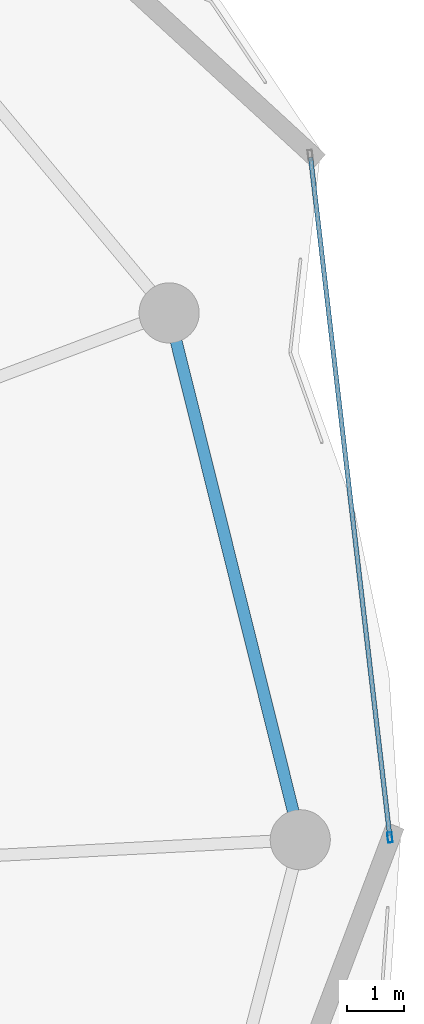
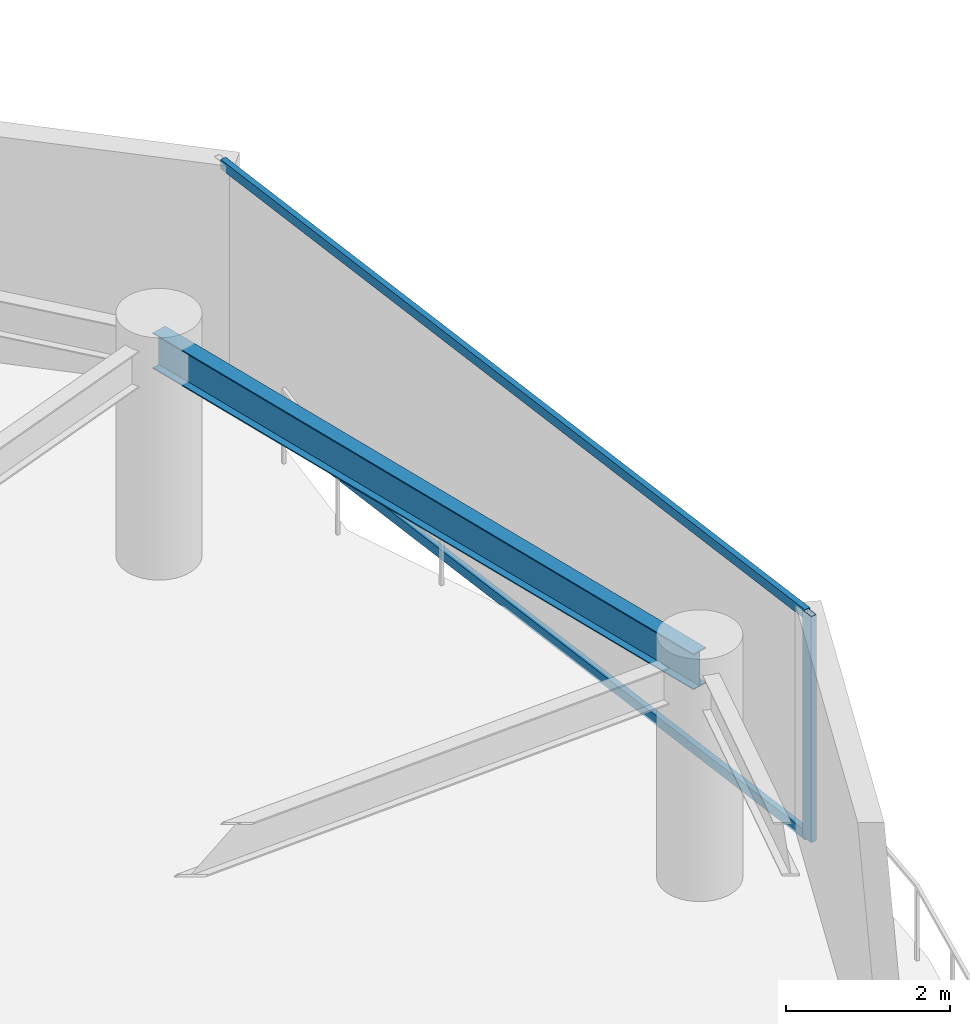
# One storey, part 16 of 30: 3 members, 1 beam, 1 element without a shape of its own.
"""IFC4 building model written with IfcOpenShell, lengths in metres."""

import ifcopenshell
import ifcopenshell.guid

model = None  # the IFC model being written
_history = None  # IfcOwnerHistory: only IFC2X3 demands one
_inside = {}  # id of a spatial element -> (the spatial element, [elements in it])
_under = {}  # id of a project, library or spatial element -> (it, [spatial elements below it])
_declared = {}  # id of a project -> (the project, [libraries it declares])
_typed = {}  # id of a type object -> (the type object, [elements of that type])
_made_of = {}  # id of a material, layer set ... -> (it, [elements and type objects made of it])


def new_model(schema):
    """Start an empty IFC model of exactly this schema.

    Asked for "IFC4X3", IfcOpenShell would pick the latest addendum, in which some entities
    have other attributes; the version numbers below select the first issue.
    IFC2X3 requires an IfcOwnerHistory on every rooted entity: one is made here for all.
    """
    global model, _history
    if schema == "IFC4X3":
        model = ifcopenshell.file(schema_version=(4, 3, 0, 0))
    else:
        model = ifcopenshell.file(schema=schema)
    _inside.clear()
    _under.clear()
    _declared.clear()
    _typed.clear()
    _made_of.clear()
    _history = None
    if model.schema == "IFC2X3":
        org = make("IfcOrganization", Name="unknown")
        user = make(
            "IfcPersonAndOrganization",
            ThePerson=make("IfcPerson", FamilyName="unknown"),
            TheOrganization=org,
        )
        app = make(
            "IfcApplication",
            ApplicationDeveloper=org,
            Version="unknown",
            ApplicationFullName="unknown",
            ApplicationIdentifier="unknown",
        )
        _history = make(
            "IfcOwnerHistory",
            OwningUser=user,
            OwningApplication=app,
            ChangeAction="ADDED",
            CreationDate=0,
        )
    return model


def make(cls, **values):
    """One entity of the class cls with the attributes given. An attribute that is None is left unset."""
    return model.create_entity(
        cls, **{name: value for name, value in values.items() if value is not None}
    )


def rooted(cls, **values):
    """An entity with a GlobalId (a new one), such as an element, a storey or a relation."""
    return make(cls, GlobalId=ifcopenshell.guid.new(), OwnerHistory=_history, **values)


def si_unit(unit_type, name, prefix=None):
    """IfcSIUnit, for example si_unit("LENGTHUNIT", "METRE", prefix="MILLI")."""
    return make("IfcSIUnit", UnitType=unit_type, Prefix=prefix, Name=name)


def assignment(units):
    """IfcUnitAssignment: the units of a project."""
    return None if units is None else make("IfcUnitAssignment", Units=units)


def point(xyz):
    """IfcCartesianPoint."""
    return None if xyz is None else make("IfcCartesianPoint", Coordinates=xyz)


def direction(xyz):
    """IfcDirection."""
    return None if xyz is None else make("IfcDirection", DirectionRatios=xyz)


def frame(location, z_axis=None, x_axis=None):
    """IfcAxis2Placement3D, a coordinate frame: its origin and axes. An axis left out is left unset."""
    return make(
        "IfcAxis2Placement3D",
        Location=point(location),
        Axis=direction(z_axis),
        RefDirection=direction(x_axis),
    )


def frame_2d(location, x_axis=None):
    """IfcAxis2Placement2D, a coordinate frame in the plane: its origin and x axis."""
    return make(
        "IfcAxis2Placement2D", Location=point(location), RefDirection=direction(x_axis)
    )


def origin():
    """The frame at (0, 0, 0) with its axes left unset."""
    return frame((0.0, 0.0, 0.0))


def origin_2d():
    """The frame at (0, 0) in the plane with its x axis left unset."""
    return frame_2d((0.0, 0.0))


def place(relative_to, where):
    """IfcLocalPlacement: puts the frame where relative to a parent placement (None: the world)."""
    return make(
        "IfcLocalPlacement", PlacementRelTo=relative_to, RelativePlacement=where
    )


def context(
    kind, dimensions, precision=None, world=None, true_north=None, identifier=None
):
    """IfcGeometricRepresentationContext, for example the 3D "Model" context."""
    return make(
        "IfcGeometricRepresentationContext",
        ContextIdentifier=identifier,
        ContextType=kind,
        CoordinateSpaceDimension=dimensions,
        Precision=precision,
        WorldCoordinateSystem=world,
        TrueNorth=true_north,
    )


def subcontext(parent, identifier, kind, view, scale=None):
    """IfcGeometricRepresentationSubContext, for example "Body" below "Model"."""
    return make(
        "IfcGeometricRepresentationSubContext",
        ContextIdentifier=identifier,
        ContextType=kind,
        ParentContext=parent,
        TargetScale=scale,
        TargetView=view,
    )


def project(units=None, contexts=None):
    """IfcProject with its units and contexts."""
    return rooted(
        "IfcProject",
        Name="project",
        RepresentationContexts=contexts,
        UnitsInContext=assignment(units),
    )


def spatial(cls, under=None, at=None, **own):
    """A site, building, storey or space (cls), placed at a placement, below another one or the project."""
    s = rooted(cls, ObjectPlacement=at, **own)
    if under is not None:
        _under.setdefault(under.id(), (under, []))[1].append(s)
    return s


def profile(cls, at=None, kind="AREA", **sizes):
    """A parametric profile (cls). Its sizes go by their IFC names, for example OverallWidth=200.0."""
    return make(cls, ProfileType=kind, Position=at, **sizes)


def hollow_rectangle(**sizes):
    """IfcRectangleHollowProfileDef."""
    return profile("IfcRectangleHollowProfileDef", **sizes)


def i_section(**sizes):
    """IfcIShapeProfileDef."""
    return profile("IfcIShapeProfileDef", **sizes)


def extrude(swept, where, along, depth):
    """IfcExtrudedAreaSolid: the profile swept, set in the frame where, extruded along a direction by depth."""
    return make(
        "IfcExtrudedAreaSolid",
        SweptArea=swept,
        Position=where,
        ExtrudedDirection=direction(along),
        Depth=depth,
    )


def shape(context_of_items, identifier, shape_type, items):
    """IfcShapeRepresentation: the items that make up one representation, for example the "Body"."""
    return make(
        "IfcShapeRepresentation",
        ContextOfItems=context_of_items,
        RepresentationIdentifier=identifier,
        RepresentationType=shape_type,
        Items=items,
    )


def material(Name=None, Category=None):
    """IfcMaterial."""
    return make("IfcMaterial", Name=Name, Category=Category)


def layer(
    of_material, thickness, ventilated=None, Name=None, Category=None, Priority=None
):
    """IfcMaterialLayer: one layer of a wall or slab, of a material (None: an air gap)."""
    return make(
        "IfcMaterialLayer",
        Material=of_material,
        LayerThickness=thickness,
        IsVentilated=ventilated,
        Name=Name,
        Category=Category,
        Priority=Priority,
    )


def layer_set(layers, Name=None):
    """IfcMaterialLayerSet."""
    return make("IfcMaterialLayerSet", MaterialLayers=layers, LayerSetName=Name)


def material_profile(
    of_material, cross_section, Name=None, Category=None, Priority=None
):
    """IfcMaterialProfile: a cross section and its material."""
    return make(
        "IfcMaterialProfile",
        Name=Name,
        Material=of_material,
        Profile=cross_section,
        Priority=Priority,
        Category=Category,
    )


def profile_set(profiles, Name=None, composite=None):
    """IfcMaterialProfileSet."""
    return make(
        "IfcMaterialProfileSet",
        Name=Name,
        MaterialProfiles=profiles,
        CompositeProfile=composite,
    )


def made_of(thing, what):
    """Note that an element or type object is made of a material, layer set ...; save() writes the relation."""
    if what is not None:
        _made_of.setdefault(what.id(), (what, []))[1].append(thing)
    return thing


def type_object(cls, material=None, **own):
    """A type object (cls), such as IfcWallType, which elements share."""
    return made_of(rooted(cls, **own), material)


def element(
    cls,
    number,
    at=None,
    inside=None,
    cuts=None,
    type_object=None,
    material=None,
    context=None,
    identifier="Body",
    shape_type=None,
    held_by="IfcProductDefinitionShape",
    body=None,
    shapes=None,
    **own,
):
    """One element of the class cls, such as IfcWall. Its Tag is "e" and its number.

    at: its placement. inside: the storey or other place that contains it. cuts: it is an
    opening in that element (IfcRelVoidsElement). A single representation is given by context,
    identifier, shape_type and body (its items); several are given by shapes. held_by: the class
    of the entity that holds the representations. save() writes the other relations.
    """
    e = rooted(cls, Tag="e%d" % number, ObjectPlacement=at, **own)
    if body is not None:
        shapes = [shape(context, identifier, shape_type, body)]
    if shapes is not None:
        e.Representation = make(held_by, Representations=shapes)
    if inside is not None:
        _inside.setdefault(inside.id(), (inside, []))[1].append(e)
    if cuts is not None:
        rooted(
            "IfcRelVoidsElement", RelatingBuildingElement=cuts, RelatedOpeningElement=e
        )
    if type_object is not None:
        _typed.setdefault(type_object.id(), (type_object, []))[1].append(e)
    return made_of(e, material)


def aggregate(whole, parts):
    """IfcRelAggregates: a whole, such as a stair, and the parts it consists of."""
    return rooted("IfcRelAggregates", RelatingObject=whole, RelatedObjects=parts)


def save(model, path):
    """Write the relations noted so far, then the file.

    IfcRelAggregates (storeys below a building ...), IfcRelContainedInSpatialStructure (elements
    in a storey), IfcRelDefinesByType, IfcRelAssociatesMaterial and IfcRelDeclares: one each for
    every whole, place, type object, material and project.
    """
    for whole, parts in _under.values():
        aggregate(whole, parts)
    for where, things in _inside.values():
        rooted(
            "IfcRelContainedInSpatialStructure",
            RelatedElements=things,
            RelatingStructure=where,
        )
    for kind, things in _typed.values():
        rooted("IfcRelDefinesByType", RelatedObjects=things, RelatingType=kind)
    for what, things in _made_of.values():
        rooted("IfcRelAssociatesMaterial", RelatedObjects=things, RelatingMaterial=what)
    for by, libraries in _declared.values():
        rooted("IfcRelDeclares", RelatingContext=by, RelatedDefinitions=libraries)
    model.write(path)


model = new_model("IFC4")

# Units and contexts
model_context = context("Model", 3, precision=1e-05, world=origin(), true_north=direction((0.0, 1.0)))
body_context = subcontext(model_context, "Body", "Model", "MODEL_VIEW")
ifc_project = project(units=[si_unit("LENGTHUNIT", "METRE"), si_unit("AREAUNIT", "SQUARE_METRE"), si_unit("VOLUMEUNIT", "CUBIC_METRE"), si_unit("PLANEANGLEUNIT", "RADIAN"), si_unit("MASSUNIT", "GRAM", prefix="KILO")], contexts=[model_context])

# Site, building, storey
site_placement = place(None, origin())
site = spatial("IfcSite", under=ifc_project, at=site_placement, CompositionType="ELEMENT")
building_placement = place(site_placement, origin())
building = spatial("IfcBuilding", under=site, at=building_placement, Name="Kazevale Care Tower and Concert Hall", CompositionType="ELEMENT")
storey_placement = place(building_placement, frame((0.0, 0.0, 242.39990234375)))
storey = spatial("IfcBuildingStorey", under=building, at=storey_placement, Name="L64", CompositionType="ELEMENT", Elevation=242.39990234375)

# Curtain wall, members
ifc_material_1 = material(Name="Aluminium 6063-T6 and Low-E Glass", Category="aluminium")
ifc_layer = layer(ifc_material_1, 0.179931640625)
ifc_layer_set = layer_set([ifc_layer], Name="Aluminium 6063-T6 and Low-E Glass")
curtain_wall_type = type_object("IfcCurtainWallType", Name="Waist & Upper Residential Curtain Wall CW-4", PredefinedType="NOTDEFINED", material=ifc_layer_set)
curtain_wall_placement = place(storey_placement, origin())
curtain_wall = element("IfcCurtainWall", 1, at=curtain_wall_placement, inside=storey, type_object=curtain_wall_type, Name="cw:L64:f18", PredefinedType="NOTDEFINED")
ifc_material_2 = material(Name="Aluminium 6063-T6", Category="aluminium")
ifc_material_profile_1 = material_profile(ifc_material_2, hollow_rectangle(XDim=0.080078125, YDim=0.179931640625, WallThickness=0.0048828125, at=origin_2d()), Name="ALU80x180x5")
ifc_profile_set_1 = profile_set([ifc_material_profile_1], Name="Aluminium 6063-T6")
member_type_1 = type_object("IfcMemberType", Name="CW-4 Mullion ALU80x180x5", PredefinedType="MULLION", material=ifc_profile_set_1)
member_1_placement = place(storey_placement, frame((76.615478515625, 38.039794921875, 0.0), z_axis=(0.0, 0.0, 1.0), x_axis=(0.993267109779, 0.115846659989, 0.0)))
member_1 = element("IfcMember", 2, at=member_1_placement, type_object=member_type_1, Name="CW-4 mullion 2", PredefinedType="MULLION", context=body_context, shape_type="SweptSolid", body=[
    extrude(hollow_rectangle(XDim=0.080078125, YDim=0.179931640625, WallThickness=0.0048828125, at=origin_2d()), origin(), (0.0, 0.0, 1.0), 3.360107421875),
])
ifc_material_profile_2 = material_profile(ifc_material_2, hollow_rectangle(XDim=0.080078125, YDim=0.139892578125, WallThickness=0.00390625, at=origin_2d()), Name="ALU80x140x4")
ifc_profile_set_2 = profile_set([ifc_material_profile_2], Name="Aluminium 6063-T6")
member_type_2 = type_object("IfcMemberType", Name="CW-4 Transom ALU80x140x4", PredefinedType="USERDEFINED", material=ifc_profile_set_2)
member_2_placement = place(storey_placement, frame((75.230224609375, 49.91552734375, 0.0400390625), z_axis=(0.115858128775, -0.993265772086, 0.0), x_axis=(0.993265772086, 0.115858128775, 0.0)))
member_2 = element("IfcMember", 3, at=member_2_placement, type_object=member_type_2, Name="CW-4 transom 1.1", ObjectType="TRANSOM", PredefinedType="USERDEFINED", context=body_context, shape_type="SweptSolid", body=[
    extrude(hollow_rectangle(XDim=0.080078125, YDim=0.139892578125, WallThickness=0.00390625, at=origin_2d()), origin(), (0.0, 0.0, 1.0), 11.91650390625),
])
member_3_placement = place(storey_placement, frame((75.230224609375, 49.91552734375, 3.320068359375), z_axis=(0.115858128775, -0.993265772086, 0.0), x_axis=(0.993265772086, 0.115858128775, 0.0)))
member_3 = element("IfcMember", 4, at=member_3_placement, type_object=member_type_2, Name="CW-4 transom 1.2", ObjectType="TRANSOM", PredefinedType="USERDEFINED", context=body_context, shape_type="SweptSolid", body=[
    extrude(hollow_rectangle(XDim=0.080078125, YDim=0.139892578125, WallThickness=0.00390625, at=origin_2d()), origin(), (0.0, 0.0, 1.0), 11.91650390625),
])
aggregate(curtain_wall, [member_1, member_2, member_3])

# Beam
ifc_material_3 = material(Name="Steel ASTM A572 Gr 50", Category="steel")
ifc_material_profile_3 = material_profile(ifc_material_3, i_section(OverallWidth=0.208984375, OverallDepth=0.532958984375, WebThickness=0.01025390625, FlangeThickness=0.015625, at=origin_2d()), Name="W530x92")
ifc_profile_set_3 = profile_set([ifc_material_profile_3], Name="Steel ASTM A572 Gr 50")
beam_type = type_object("IfcBeamType", Name="Upper Ring Beam W530x92", PredefinedType="BEAM", material=ifc_profile_set_3)
beam_placement = place(storey_placement, frame((75.050048828125, 38.0, 3.093505859375), z_axis=(-0.241547858543, 0.970388907621, 0.0), x_axis=(-0.970388907621, -0.241547858543, 0.0)))
element("IfcBeam", 5, at=beam_placement, inside=storey, type_object=beam_type, Name="beam:L64:ring:01", PredefinedType="BEAM", context=body_context, shape_type="SweptSolid", body=[
    extrude(i_section(OverallWidth=0.208984375, OverallDepth=0.532958984375, WebThickness=0.01025390625, FlangeThickness=0.015625, at=origin_2d()), origin(), (0.0, 0.0, 1.0), 9.480712890625),
])

save(model, "model.ifc")
